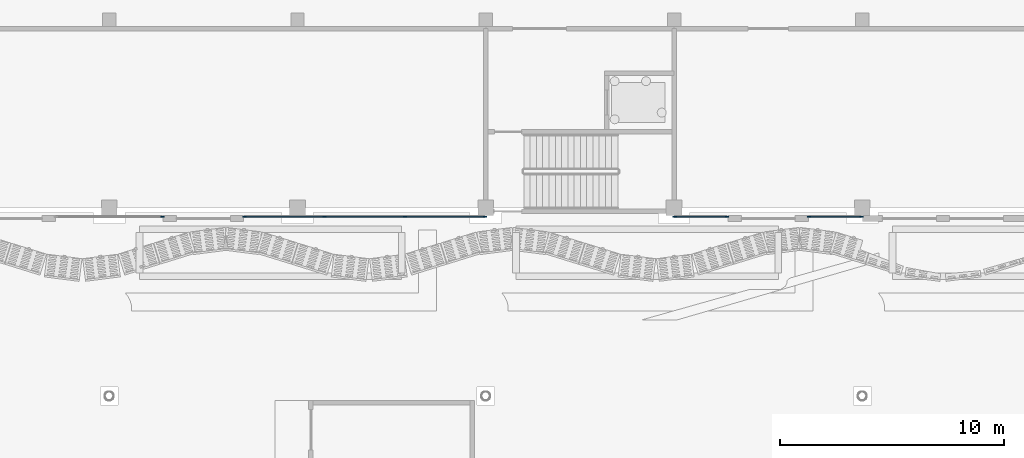
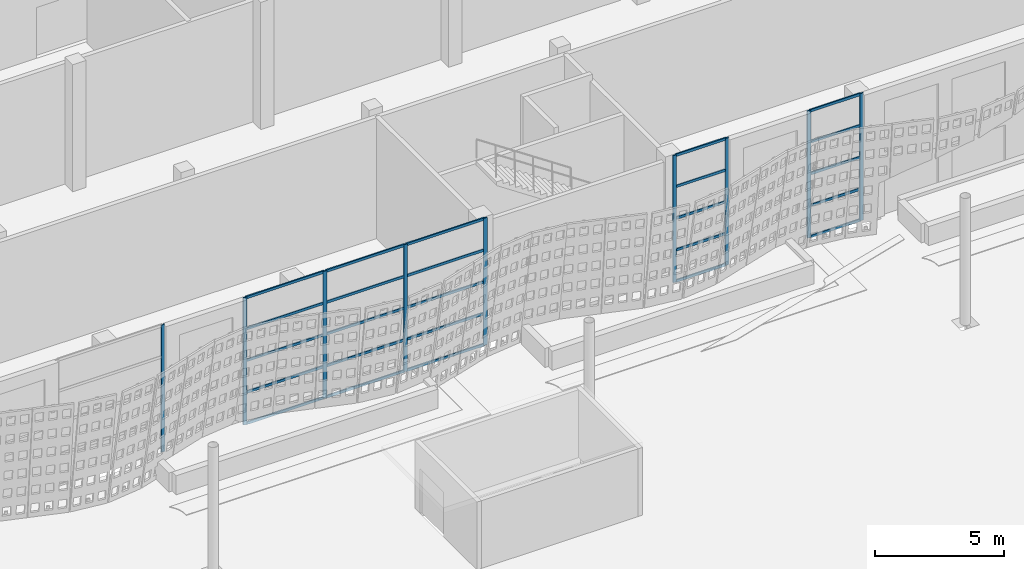
# One storey, part 36 of 210: 34 members, 4 elements without a shape of their own.
"""IFC4 building model written with IfcOpenShell, lengths in metres."""

from ifc_helpers import new_model, si_unit, direction, frame, origin, origin_2d, place, context, subcontext, project, spatial, rectangle, extrude, material, layer, layer_set, material_profile, profile_set, type_object, element, aggregate, save


model = new_model("IFC4")

# Units and contexts
model_context = context("Model", 3, precision=1e-05, world=origin(), true_north=direction((0.0, 1.0)))
body_context = subcontext(model_context, "Body", "Model", "MODEL_VIEW")
ifc_project = project(units=[si_unit("LENGTHUNIT", "METRE"), si_unit("AREAUNIT", "SQUARE_METRE"), si_unit("VOLUMEUNIT", "CUBIC_METRE"), si_unit("PLANEANGLEUNIT", "RADIAN"), si_unit("MASSUNIT", "GRAM", prefix="KILO")], contexts=[model_context])

# Site, building, storey
site_placement = place(None, origin())
site = spatial("IfcSite", under=ifc_project, at=site_placement, CompositionType="ELEMENT")
building_placement = place(site_placement, origin())
building = spatial("IfcBuilding", under=site, at=building_placement, Name="Rain Tree Exposition and Congress Centre", CompositionType="ELEMENT")
storey_placement = place(building_placement, origin())
storey = spatial("IfcBuildingStorey", under=building, at=storey_placement, Name="L00", CompositionType="ELEMENT", Elevation=0.0)

# Curtain wall, member
ifc_material_1 = material(Name="Aluminium curtain wall system", Category="aluminium")
ifc_layer = layer(ifc_material_1, 0.10009765625)
ifc_layer_set = layer_set([ifc_layer], Name="Aluminium curtain wall system")
curtain_wall_type = type_object("IfcCurtainWallType", Name="Concourse curtain wall 4200 module", PredefinedType="NOTDEFINED", material=ifc_layer_set)
curtain_wall_1_placement = place(storey_placement, origin())
curtain_wall_1 = element("IfcCurtainWall", 1, at=curtain_wall_1_placement, inside=storey, type_object=curtain_wall_type, Name="Concourse curtain wall CWC04", PredefinedType="NOTDEFINED")
ifc_material_2 = material(Name="Aluminium mullion", Category="aluminium")
ifc_material_profile_1 = material_profile(ifc_material_2, rectangle(XDim=0.06005859375, YDim=0.159912109375, at=origin_2d()), Name="AL 60x160")
ifc_profile_set_1 = profile_set([ifc_material_profile_1], Name="Aluminium mullion")
member_type_1 = type_object("IfcMemberType", Name="Concourse curtain wall mullion 60x160", PredefinedType="MULLION", material=ifc_profile_set_1)
member_1_placement = place(storey_placement, frame((61.169921875, 75.199951171875, 0.0), z_axis=(0.0, 0.0, 1.0), x_axis=(0.0, 1.0, 0.0)))
member_1 = element("IfcMember", 2, at=member_1_placement, type_object=member_type_1, Name="CWC04 mullion 2", PredefinedType="MULLION", context=body_context, shape_type="SweptSolid", body=[
    extrude(rectangle(XDim=0.06005859375, YDim=0.159912109375, at=origin_2d()), origin(), (0.0, 0.0, 1.0), 6.0),
])
aggregate(curtain_wall_1, [member_1])

# Curtain wall, members
curtain_wall_2_placement = place(storey_placement, origin())
curtain_wall_2 = element("IfcCurtainWall", 3, at=curtain_wall_2_placement, inside=storey, type_object=curtain_wall_type, Name="Concourse curtain wall CWC05", PredefinedType="NOTDEFINED")
member_2_placement = place(storey_placement, frame((64.830078125, 75.199951171875, 0.0), z_axis=(0.0, 0.0, 1.0), x_axis=(0.0, 1.0, 0.0)))
member_2 = element("IfcMember", 4, at=member_2_placement, type_object=member_type_1, Name="CWC05 mullion 1", PredefinedType="MULLION", context=body_context, shape_type="SweptSolid", body=[
    extrude(rectangle(XDim=0.06005859375, YDim=0.159912109375, at=origin_2d()), origin(), (0.0, 0.0, 1.0), 6.0),
])
member_3_placement = place(storey_placement, frame((68.39990234375, 75.199951171875, 0.0), z_axis=(0.0, 0.0, 1.0), x_axis=(0.0, 1.0, 0.0)))
member_3 = element("IfcMember", 5, at=member_3_placement, type_object=member_type_1, Name="CWC05 mullion 2", PredefinedType="MULLION", context=body_context, shape_type="SweptSolid", body=[
    extrude(rectangle(XDim=0.06005859375, YDim=0.159912109375, at=origin_2d()), origin(), (0.0, 0.0, 1.0), 6.0),
])
member_4_placement = place(storey_placement, frame((72.0, 75.199951171875, 0.0), z_axis=(0.0, 0.0, 1.0), x_axis=(0.0, 1.0, 0.0)))
member_4 = element("IfcMember", 6, at=member_4_placement, type_object=member_type_1, Name="CWC05 mullion 3", PredefinedType="MULLION", context=body_context, shape_type="SweptSolid", body=[
    extrude(rectangle(XDim=0.06005859375, YDim=0.159912109375, at=origin_2d()), origin(), (0.0, 0.0, 1.0), 6.0),
])
member_5_placement = place(storey_placement, frame((75.570068359375, 75.199951171875, 0.0), z_axis=(0.0, 0.0, 1.0), x_axis=(0.0, 1.0, 0.0)))
member_5 = element("IfcMember", 7, at=member_5_placement, type_object=member_type_1, Name="CWC05 mullion 4", PredefinedType="MULLION", context=body_context, shape_type="SweptSolid", body=[
    extrude(rectangle(XDim=0.06005859375, YDim=0.159912109375, at=origin_2d()), origin(), (0.0, 0.0, 1.0), 6.0),
])

curtain_wall_3_placement = place(storey_placement, origin())
curtain_wall_3 = element("IfcCurtainWall", 8, at=curtain_wall_3_placement, inside=storey, type_object=curtain_wall_type, Name="Concourse curtain wall CWC06", PredefinedType="NOTDEFINED")
member_6_placement = place(storey_placement, frame((84.030029296875, 75.199951171875, 0.0), z_axis=(0.0, 0.0, 1.0), x_axis=(0.0, 1.0, 0.0)))
member_6 = element("IfcMember", 9, at=member_6_placement, type_object=member_type_1, Name="CWC06 mullion 1", PredefinedType="MULLION", context=body_context, shape_type="SweptSolid", body=[
    extrude(rectangle(XDim=0.06005859375, YDim=0.159912109375, at=origin_2d()), origin(), (0.0, 0.0, 1.0), 6.0),
])
member_7_placement = place(storey_placement, frame((86.3701171875, 75.199951171875, 0.0), z_axis=(0.0, 0.0, 1.0), x_axis=(0.0, 1.0, 0.0)))
member_7 = element("IfcMember", 10, at=member_7_placement, type_object=member_type_1, Name="CWC06 mullion 2", PredefinedType="MULLION", context=body_context, shape_type="SweptSolid", body=[
    extrude(rectangle(XDim=0.06005859375, YDim=0.159912109375, at=origin_2d()), origin(), (0.0, 0.0, 1.0), 6.0),
])

curtain_wall_4_placement = place(storey_placement, origin())
curtain_wall_4 = element("IfcCurtainWall", 11, at=curtain_wall_4_placement, inside=storey, type_object=curtain_wall_type, Name="Concourse curtain wall CWC07", PredefinedType="NOTDEFINED")
member_8_placement = place(storey_placement, frame((90.030029296875, 75.199951171875, 0.0), z_axis=(0.0, 0.0, 1.0), x_axis=(0.0, 1.0, 0.0)))
member_8 = element("IfcMember", 12, at=member_8_placement, type_object=member_type_1, Name="CWC07 mullion 1", PredefinedType="MULLION", context=body_context, shape_type="SweptSolid", body=[
    extrude(rectangle(XDim=0.06005859375, YDim=0.159912109375, at=origin_2d()), origin(), (0.0, 0.0, 1.0), 6.0),
])
member_9_placement = place(storey_placement, frame((92.3701171875, 75.199951171875, 0.0), z_axis=(0.0, 0.0, 1.0), x_axis=(0.0, 1.0, 0.0)))
member_9 = element("IfcMember", 13, at=member_9_placement, type_object=member_type_1, Name="CWC07 mullion 2", PredefinedType="MULLION", context=body_context, shape_type="SweptSolid", body=[
    extrude(rectangle(XDim=0.06005859375, YDim=0.159912109375, at=origin_2d()), origin(), (0.0, 0.0, 1.0), 6.0),
])

# Member
ifc_material_3 = material(Name="Aluminium transom", Category="aluminium")
ifc_material_profile_2 = material_profile(ifc_material_3, rectangle(XDim=0.06005859375, YDim=0.1201171875, at=origin_2d()), Name="AL 60x120")
ifc_profile_set_2 = profile_set([ifc_material_profile_2], Name="Aluminium transom")
member_type_2 = type_object("IfcMemberType", Name="Concourse curtain wall transom 60x120", PredefinedType="USERDEFINED", material=ifc_profile_set_2)
member_10_placement = place(storey_placement, frame((64.860107421875, 75.199951171875, 0.030029296875), z_axis=(1.0, 0.0, 0.0), x_axis=(0.0, 1.0, 0.0)))
member_10 = element("IfcMember", 14, at=member_10_placement, type_object=member_type_2, Name="CWC05 transom 1.1", ObjectType="TRANSOM", PredefinedType="USERDEFINED", context=body_context, shape_type="SweptSolid", body=[
    extrude(rectangle(XDim=0.06005859375, YDim=0.1201171875, at=origin_2d()), origin(), (0.0, 0.0, 1.0), 3.510009765625),
])

member_11_placement = place(storey_placement, frame((64.860107421875, 75.199951171875, 1.5), z_axis=(1.0, 0.0, 0.0), x_axis=(0.0, 1.0, 0.0)))
member_11 = element("IfcMember", 15, at=member_11_placement, type_object=member_type_2, Name="CWC05 transom 1.2", ObjectType="TRANSOM", PredefinedType="USERDEFINED", context=body_context, shape_type="SweptSolid", body=[
    extrude(rectangle(XDim=0.06005859375, YDim=0.1201171875, at=origin_2d()), origin(), (0.0, 0.0, 1.0), 3.510009765625),
])

member_12_placement = place(storey_placement, frame((64.860107421875, 75.199951171875, 3.0), z_axis=(1.0, 0.0, 0.0), x_axis=(0.0, 1.0, 0.0)))
member_12 = element("IfcMember", 16, at=member_12_placement, type_object=member_type_2, Name="CWC05 transom 1.3", ObjectType="TRANSOM", PredefinedType="USERDEFINED", context=body_context, shape_type="SweptSolid", body=[
    extrude(rectangle(XDim=0.06005859375, YDim=0.1201171875, at=origin_2d()), origin(), (0.0, 0.0, 1.0), 3.510009765625),
])

member_13_placement = place(storey_placement, frame((64.860107421875, 75.199951171875, 4.5), z_axis=(1.0, 0.0, 0.0), x_axis=(0.0, 1.0, 0.0)))
member_13 = element("IfcMember", 17, at=member_13_placement, type_object=member_type_2, Name="CWC05 transom 1.4", ObjectType="TRANSOM", PredefinedType="USERDEFINED", context=body_context, shape_type="SweptSolid", body=[
    extrude(rectangle(XDim=0.06005859375, YDim=0.1201171875, at=origin_2d()), origin(), (0.0, 0.0, 1.0), 3.510009765625),
])

member_14_placement = place(storey_placement, frame((64.860107421875, 75.199951171875, 5.969970703125), z_axis=(1.0, 0.0, 0.0), x_axis=(0.0, 1.0, 0.0)))
member_14 = element("IfcMember", 18, at=member_14_placement, type_object=member_type_2, Name="CWC05 transom 1.5", ObjectType="TRANSOM", PredefinedType="USERDEFINED", context=body_context, shape_type="SweptSolid", body=[
    extrude(rectangle(XDim=0.06005859375, YDim=0.1201171875, at=origin_2d()), origin(), (0.0, 0.0, 1.0), 3.510009765625),
])

member_15_placement = place(storey_placement, frame((68.429931640625, 75.199951171875, 0.030029296875), z_axis=(1.0, 0.0, 0.0), x_axis=(0.0, 1.0, 0.0)))
member_15 = element("IfcMember", 19, at=member_15_placement, type_object=member_type_2, Name="CWC05 transom 2.1", ObjectType="TRANSOM", PredefinedType="USERDEFINED", context=body_context, shape_type="SweptSolid", body=[
    extrude(rectangle(XDim=0.06005859375, YDim=0.1201171875, at=origin_2d()), origin(), (0.0, 0.0, 1.0), 3.5400390625),
])

member_16_placement = place(storey_placement, frame((68.429931640625, 75.199951171875, 1.5), z_axis=(1.0, 0.0, 0.0), x_axis=(0.0, 1.0, 0.0)))
member_16 = element("IfcMember", 20, at=member_16_placement, type_object=member_type_2, Name="CWC05 transom 2.2", ObjectType="TRANSOM", PredefinedType="USERDEFINED", context=body_context, shape_type="SweptSolid", body=[
    extrude(rectangle(XDim=0.06005859375, YDim=0.1201171875, at=origin_2d()), origin(), (0.0, 0.0, 1.0), 3.5400390625),
])

member_17_placement = place(storey_placement, frame((68.429931640625, 75.199951171875, 3.0), z_axis=(1.0, 0.0, 0.0), x_axis=(0.0, 1.0, 0.0)))
member_17 = element("IfcMember", 21, at=member_17_placement, type_object=member_type_2, Name="CWC05 transom 2.3", ObjectType="TRANSOM", PredefinedType="USERDEFINED", context=body_context, shape_type="SweptSolid", body=[
    extrude(rectangle(XDim=0.06005859375, YDim=0.1201171875, at=origin_2d()), origin(), (0.0, 0.0, 1.0), 3.5400390625),
])

member_18_placement = place(storey_placement, frame((68.429931640625, 75.199951171875, 4.5), z_axis=(1.0, 0.0, 0.0), x_axis=(0.0, 1.0, 0.0)))
member_18 = element("IfcMember", 22, at=member_18_placement, type_object=member_type_2, Name="CWC05 transom 2.4", ObjectType="TRANSOM", PredefinedType="USERDEFINED", context=body_context, shape_type="SweptSolid", body=[
    extrude(rectangle(XDim=0.06005859375, YDim=0.1201171875, at=origin_2d()), origin(), (0.0, 0.0, 1.0), 3.5400390625),
])

member_19_placement = place(storey_placement, frame((68.429931640625, 75.199951171875, 5.969970703125), z_axis=(1.0, 0.0, 0.0), x_axis=(0.0, 1.0, 0.0)))
member_19 = element("IfcMember", 23, at=member_19_placement, type_object=member_type_2, Name="CWC05 transom 2.5", ObjectType="TRANSOM", PredefinedType="USERDEFINED", context=body_context, shape_type="SweptSolid", body=[
    extrude(rectangle(XDim=0.06005859375, YDim=0.1201171875, at=origin_2d()), origin(), (0.0, 0.0, 1.0), 3.5400390625),
])

member_20_placement = place(storey_placement, frame((72.030029296875, 75.199951171875, 0.030029296875), z_axis=(1.0, 0.0, 0.0), x_axis=(0.0, 1.0, 0.0)))
member_20 = element("IfcMember", 24, at=member_20_placement, type_object=member_type_2, Name="CWC05 transom 3.1", ObjectType="TRANSOM", PredefinedType="USERDEFINED", context=body_context, shape_type="SweptSolid", body=[
    extrude(rectangle(XDim=0.06005859375, YDim=0.1201171875, at=origin_2d()), origin(), (0.0, 0.0, 1.0), 3.510009765625),
])

member_21_placement = place(storey_placement, frame((72.030029296875, 75.199951171875, 1.5), z_axis=(1.0, 0.0, 0.0), x_axis=(0.0, 1.0, 0.0)))
member_21 = element("IfcMember", 25, at=member_21_placement, type_object=member_type_2, Name="CWC05 transom 3.2", ObjectType="TRANSOM", PredefinedType="USERDEFINED", context=body_context, shape_type="SweptSolid", body=[
    extrude(rectangle(XDim=0.06005859375, YDim=0.1201171875, at=origin_2d()), origin(), (0.0, 0.0, 1.0), 3.510009765625),
])

member_22_placement = place(storey_placement, frame((72.030029296875, 75.199951171875, 3.0), z_axis=(1.0, 0.0, 0.0), x_axis=(0.0, 1.0, 0.0)))
member_22 = element("IfcMember", 26, at=member_22_placement, type_object=member_type_2, Name="CWC05 transom 3.3", ObjectType="TRANSOM", PredefinedType="USERDEFINED", context=body_context, shape_type="SweptSolid", body=[
    extrude(rectangle(XDim=0.06005859375, YDim=0.1201171875, at=origin_2d()), origin(), (0.0, 0.0, 1.0), 3.510009765625),
])

member_23_placement = place(storey_placement, frame((72.030029296875, 75.199951171875, 4.5), z_axis=(1.0, 0.0, 0.0), x_axis=(0.0, 1.0, 0.0)))
member_23 = element("IfcMember", 27, at=member_23_placement, type_object=member_type_2, Name="CWC05 transom 3.4", ObjectType="TRANSOM", PredefinedType="USERDEFINED", context=body_context, shape_type="SweptSolid", body=[
    extrude(rectangle(XDim=0.06005859375, YDim=0.1201171875, at=origin_2d()), origin(), (0.0, 0.0, 1.0), 3.510009765625),
])

member_24_placement = place(storey_placement, frame((72.030029296875, 75.199951171875, 5.969970703125), z_axis=(1.0, 0.0, 0.0), x_axis=(0.0, 1.0, 0.0)))
member_24 = element("IfcMember", 28, at=member_24_placement, type_object=member_type_2, Name="CWC05 transom 3.5", ObjectType="TRANSOM", PredefinedType="USERDEFINED", context=body_context, shape_type="SweptSolid", body=[
    extrude(rectangle(XDim=0.06005859375, YDim=0.1201171875, at=origin_2d()), origin(), (0.0, 0.0, 1.0), 3.510009765625),
])

aggregate(curtain_wall_2, [member_2, member_3, member_4, member_5, member_10, member_11, member_12, member_13, member_14, member_15, member_16, member_17, member_18, member_19, member_20, member_21, member_22, member_23, member_24])

member_25_placement = place(storey_placement, frame((84.06005859375, 75.199951171875, 0.030029296875), z_axis=(1.0, 0.0, 0.0), x_axis=(0.0, 1.0, 0.0)))
member_25 = element("IfcMember", 29, at=member_25_placement, type_object=member_type_2, Name="CWC06 transom 1.1", ObjectType="TRANSOM", PredefinedType="USERDEFINED", context=body_context, shape_type="SweptSolid", body=[
    extrude(rectangle(XDim=0.06005859375, YDim=0.1201171875, at=origin_2d()), origin(), (0.0, 0.0, 1.0), 2.280029296875),
])

member_26_placement = place(storey_placement, frame((84.06005859375, 75.199951171875, 1.5), z_axis=(1.0, 0.0, 0.0), x_axis=(0.0, 1.0, 0.0)))
member_26 = element("IfcMember", 30, at=member_26_placement, type_object=member_type_2, Name="CWC06 transom 1.2", ObjectType="TRANSOM", PredefinedType="USERDEFINED", context=body_context, shape_type="SweptSolid", body=[
    extrude(rectangle(XDim=0.06005859375, YDim=0.1201171875, at=origin_2d()), origin(), (0.0, 0.0, 1.0), 2.280029296875),
])

member_27_placement = place(storey_placement, frame((84.06005859375, 75.199951171875, 3.0), z_axis=(1.0, 0.0, 0.0), x_axis=(0.0, 1.0, 0.0)))
member_27 = element("IfcMember", 31, at=member_27_placement, type_object=member_type_2, Name="CWC06 transom 1.3", ObjectType="TRANSOM", PredefinedType="USERDEFINED", context=body_context, shape_type="SweptSolid", body=[
    extrude(rectangle(XDim=0.06005859375, YDim=0.1201171875, at=origin_2d()), origin(), (0.0, 0.0, 1.0), 2.280029296875),
])

member_28_placement = place(storey_placement, frame((84.06005859375, 75.199951171875, 4.5), z_axis=(1.0, 0.0, 0.0), x_axis=(0.0, 1.0, 0.0)))
member_28 = element("IfcMember", 32, at=member_28_placement, type_object=member_type_2, Name="CWC06 transom 1.4", ObjectType="TRANSOM", PredefinedType="USERDEFINED", context=body_context, shape_type="SweptSolid", body=[
    extrude(rectangle(XDim=0.06005859375, YDim=0.1201171875, at=origin_2d()), origin(), (0.0, 0.0, 1.0), 2.280029296875),
])

member_29_placement = place(storey_placement, frame((84.06005859375, 75.199951171875, 5.969970703125), z_axis=(1.0, 0.0, 0.0), x_axis=(0.0, 1.0, 0.0)))
member_29 = element("IfcMember", 33, at=member_29_placement, type_object=member_type_2, Name="CWC06 transom 1.5", ObjectType="TRANSOM", PredefinedType="USERDEFINED", context=body_context, shape_type="SweptSolid", body=[
    extrude(rectangle(XDim=0.06005859375, YDim=0.1201171875, at=origin_2d()), origin(), (0.0, 0.0, 1.0), 2.280029296875),
])

aggregate(curtain_wall_3, [member_6, member_7, member_25, member_26, member_27, member_28, member_29])

member_30_placement = place(storey_placement, frame((90.06005859375, 75.199951171875, 0.030029296875), z_axis=(1.0, 0.0, 0.0), x_axis=(0.0, 1.0, 0.0)))
member_30 = element("IfcMember", 34, at=member_30_placement, type_object=member_type_2, Name="CWC07 transom 1.1", ObjectType="TRANSOM", PredefinedType="USERDEFINED", context=body_context, shape_type="SweptSolid", body=[
    extrude(rectangle(XDim=0.06005859375, YDim=0.1201171875, at=origin_2d()), origin(), (0.0, 0.0, 1.0), 2.280029296875),
])

member_31_placement = place(storey_placement, frame((90.06005859375, 75.199951171875, 1.5), z_axis=(1.0, 0.0, 0.0), x_axis=(0.0, 1.0, 0.0)))
member_31 = element("IfcMember", 35, at=member_31_placement, type_object=member_type_2, Name="CWC07 transom 1.2", ObjectType="TRANSOM", PredefinedType="USERDEFINED", context=body_context, shape_type="SweptSolid", body=[
    extrude(rectangle(XDim=0.06005859375, YDim=0.1201171875, at=origin_2d()), origin(), (0.0, 0.0, 1.0), 2.280029296875),
])

member_32_placement = place(storey_placement, frame((90.06005859375, 75.199951171875, 3.0), z_axis=(1.0, 0.0, 0.0), x_axis=(0.0, 1.0, 0.0)))
member_32 = element("IfcMember", 36, at=member_32_placement, type_object=member_type_2, Name="CWC07 transom 1.3", ObjectType="TRANSOM", PredefinedType="USERDEFINED", context=body_context, shape_type="SweptSolid", body=[
    extrude(rectangle(XDim=0.06005859375, YDim=0.1201171875, at=origin_2d()), origin(), (0.0, 0.0, 1.0), 2.280029296875),
])

member_33_placement = place(storey_placement, frame((90.06005859375, 75.199951171875, 4.5), z_axis=(1.0, 0.0, 0.0), x_axis=(0.0, 1.0, 0.0)))
member_33 = element("IfcMember", 37, at=member_33_placement, type_object=member_type_2, Name="CWC07 transom 1.4", ObjectType="TRANSOM", PredefinedType="USERDEFINED", context=body_context, shape_type="SweptSolid", body=[
    extrude(rectangle(XDim=0.06005859375, YDim=0.1201171875, at=origin_2d()), origin(), (0.0, 0.0, 1.0), 2.280029296875),
])

member_34_placement = place(storey_placement, frame((90.06005859375, 75.199951171875, 5.969970703125), z_axis=(1.0, 0.0, 0.0), x_axis=(0.0, 1.0, 0.0)))
member_34 = element("IfcMember", 38, at=member_34_placement, type_object=member_type_2, Name="CWC07 transom 1.5", ObjectType="TRANSOM", PredefinedType="USERDEFINED", context=body_context, shape_type="SweptSolid", body=[
    extrude(rectangle(XDim=0.06005859375, YDim=0.1201171875, at=origin_2d()), origin(), (0.0, 0.0, 1.0), 2.280029296875),
])

aggregate(curtain_wall_4, [member_8, member_9, member_30, member_31, member_32, member_33, member_34])

save(model, "model.ifc")
